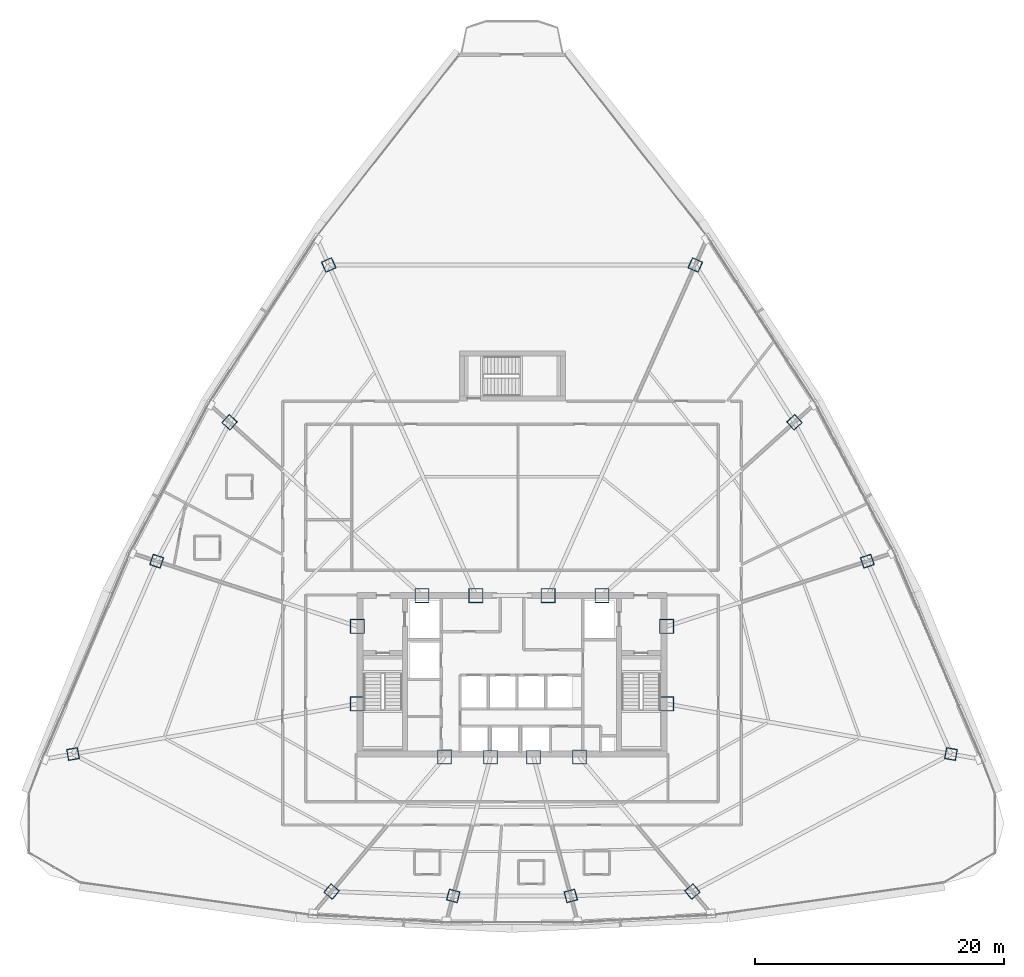
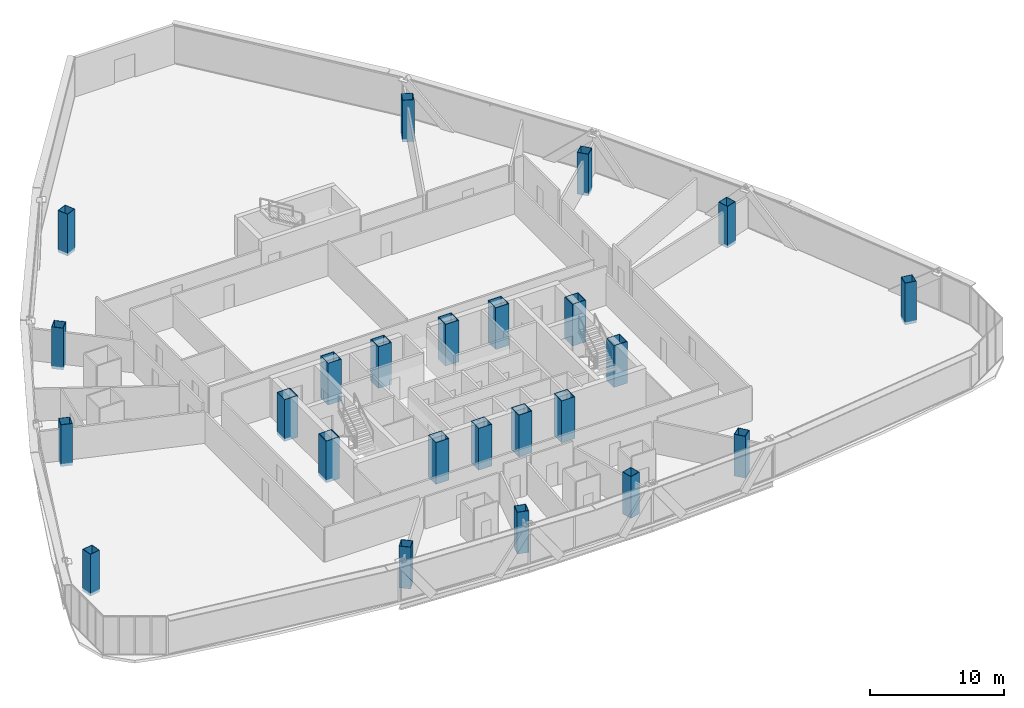
# One storey, part 1 of 40: 24 columns.
"""IFC4 building model written with IfcOpenShell, lengths in metres."""

from ifc_helpers import new_model, si_unit, direction, frame, origin, origin_2d, place, context, subcontext, project, spatial, hollow_rectangle, extrude, source, transform, mapped, material, material_profile, profile_set, type_object, element, save


model = new_model("IFC4")

# Units and contexts
model_context = context("Model", 3, precision=1e-05, world=origin(), true_north=direction((0.0, 1.0)))
body_context = subcontext(model_context, "Body", "Model", "MODEL_VIEW")
ifc_project = project(units=[si_unit("LENGTHUNIT", "METRE"), si_unit("AREAUNIT", "SQUARE_METRE"), si_unit("VOLUMEUNIT", "CUBIC_METRE"), si_unit("PLANEANGLEUNIT", "RADIAN"), si_unit("MASSUNIT", "GRAM", prefix="KILO"), si_unit("THERMODYNAMICTEMPERATUREUNIT", "KELVIN"), si_unit("POWERUNIT", "WATT")], contexts=[model_context])

# Site, building, storey
site_placement = place(None, origin())
site = spatial("IfcSite", under=ifc_project, at=site_placement, CompositionType="ELEMENT")
building_placement = place(site_placement, origin())
building = spatial("IfcBuilding", under=site, at=building_placement, Name="Yunzhuo Pagoda Commons", CompositionType="ELEMENT")
storey_placement = place(building_placement, frame((0.0, 0.0, 188.56005859375)))
storey = spatial("IfcBuildingStorey", under=building, at=storey_placement, Name="L47", CompositionType="ELEMENT", Elevation=188.56005859375)

# Columns
ifc_material = material(Name="Structural steel Q420B", Category="steel")
ifc_material_profile_1 = material_profile(ifc_material, hollow_rectangle(XDim=1.14990234375, YDim=1.14990234375, WallThickness=0.048095703125, at=origin_2d()), Name="Structural steel Q420B")
ifc_profile_set_1 = profile_set([ifc_material_profile_1], Name="Structural steel Q420B")
column_type_1 = type_object("IfcColumnType", Name="C-COR Column BOX 1150x1150x48", PredefinedType="COLUMN", material=ifc_profile_set_1)
shared_shape_1 = source(origin(), body_context, "Body", "SweptSolid", [
    extrude(hollow_rectangle(XDim=1.14990234375, YDim=1.14990234375, WallThickness=0.048095703125, at=origin_2d()), origin(), (0.0, 0.0, 1.0), 3.800048828125),
])
for number, where, z_axis, x_axis, name in (
    (1, (42.587890625, 27.25, -0.260009765625), (0.0, 0.0, 1.0), (1.0, 0.0, 0.0), "L47 core composite column F1C1"),
    (2, (46.27197265625, 27.25, -0.260009765625), (0.0, 0.0, 1.0), (1.0, 0.0, 0.0), "L47 core composite column F1C2"),
    (3, (49.728515625, 27.25, -0.260009765625), (0.0, 0.0, 1.0), (1.0, 0.0, 0.0), "L47 core composite column F1C3"),
    (4, (53.412109375, 27.25, -0.260009765625), (0.0, 0.0, 1.0), (1.0, 0.0, 0.0), "L47 core composite column F1C4"),
    (5, (60.39990234375, 31.513427734375, -0.260009765625), (0.0, 0.0, 1.0), (1.0, 0.0, 0.0), "L47 core composite column F2C1"),
    (6, (60.39990234375, 37.72900390625, -0.260009765625), (0.0, 0.0, 1.0), (1.0, 0.0, 0.0), "L47 core composite column F2C2"),
    (7, (55.218994140625, 40.199951171875, -0.260009765625), (0.0, 0.0, 1.0), (1.0, 0.0, 0.0), "L47 core composite column F2C3"),
    (8, (50.89404296875, 40.199951171875, -0.260009765625), (0.0, 0.0, 1.0), (1.0, 0.0, 0.0), "L47 core composite column F2C4"),
    (9, (45.10595703125, 40.199951171875, -0.260009765625), (0.0, 0.0, 1.0), (1.0, 0.0, 0.0), "L47 core composite column F3C1"),
    (10, (40.781005859375, 40.199951171875, -0.260009765625), (0.0, 0.0, 1.0), (1.0, 0.0, 0.0), "L47 core composite column F3C2"),
    (11, (35.60009765625, 37.72900390625, -0.260009765625), (0.0, 0.0, 1.0), (1.0, 0.0, 0.0), "L47 core composite column F3C3"),
    (12, (35.60009765625, 31.513427734375, -0.260009765625), (0.0, 0.0, 1.0), (1.0, 0.0, 0.0), "L47 core composite column F3C4"),
):
    element("IfcColumn", number, at=place(storey_placement, frame(where, z_axis=z_axis, x_axis=x_axis)), inside=storey, type_object=column_type_1, Name=name, PredefinedType="COLUMN", context=body_context, shape_type="MappedRepresentation", body=[
        mapped(shared_shape_1, transform((0.0, 0.0, 0.0), scale=1.0)),
    ])
ifc_material_profile_2 = material_profile(ifc_material, hollow_rectangle(XDim=0.89990234375, YDim=0.89990234375, WallThickness=0.035888671875, at=origin_2d()), Name="Structural steel Q420B")
ifc_profile_set_2 = profile_set([ifc_material_profile_2], Name="Structural steel Q420B")
column_type_2 = type_object("IfcColumnType", Name="C-Z4 Column BOX 900x900x36", PredefinedType="COLUMN", material=ifc_profile_set_2)
shared_shape_2 = source(origin(), body_context, "Body", "SweptSolid", [
    extrude(hollow_rectangle(XDim=0.89990234375, YDim=0.89990234375, WallThickness=0.035888671875, at=origin_2d()), origin(), (0.0, 0.0, 1.0), 3.800048828125),
])
for number, where, z_axis, x_axis, name in (
    (13, (33.538818359375, 16.4658203125, -0.260009765625), (0.0, 0.0, 1.0), (0.766044443119, -0.642787609687, 0.0), "L47 tower column F1C1"),
    (14, (43.28759765625, 16.1123046875, -0.260009765625), (0.0, 0.0, 1.0), (0.965925826289, -0.258819045103, 0.0), "L47 tower column F1C2"),
    (15, (52.712890625, 16.1123046875, -0.260009765625), (0.0, 0.0, 1.0), (0.965925826289, 0.258819045103, 0.0), "L47 tower column F1C3"),
    (16, (62.461181640625, 16.4658203125, -0.260009765625), (0.0, 0.0, 1.0), (0.766044443119, 0.642787609687, 0.0), "L47 tower column F1C4"),
    (17, (83.20654296875, 27.492431640625, -0.260009765625), (0.0, 0.0, 1.0), (0.173648177667, 0.984807753012, 0.0), "L47 tower column F2C1"),
    (18, (76.49462890625, 42.95849609375, -0.260009765625), (0.0, 0.0, 1.0), (-0.309016994375, 0.951056516295, 0.0), "L47 tower column F2C2"),
    (19, (70.650634765625, 54.0947265625, -0.260009765625), (0.0, 0.0, 1.0), (-0.669130606359, 0.743144825477, 0.0), "L47 tower column F2C3"),
    (20, (62.698974609375, 66.714599609375, -0.260009765625), (0.0, 0.0, 1.0), (-0.913545457643, 0.406736643076, 0.0), "L47 tower column F2C4"),
    (21, (33.301025390625, 66.714599609375, -0.260009765625), (0.0, 0.0, 1.0), (-0.913545457643, -0.406736643076, 0.0), "L47 tower column F3C1"),
    (22, (25.349365234375, 54.0947265625, -0.260009765625), (0.0, 0.0, 1.0), (-0.669130606359, -0.743144825477, 0.0), "L47 tower column F3C2"),
    (23, (19.50537109375, 42.95849609375, -0.260009765625), (0.0, 0.0, 1.0), (-0.309016994375, -0.951056516295, 0.0), "L47 tower column F3C3"),
    (24, (12.79345703125, 27.492431640625, -0.260009765625), (0.0, 0.0, 1.0), (0.173648177667, -0.984807753012, 0.0), "L47 tower column F3C4"),
):
    element("IfcColumn", number, at=place(storey_placement, frame(where, z_axis=z_axis, x_axis=x_axis)), inside=storey, type_object=column_type_2, Name=name, PredefinedType="COLUMN", context=body_context, shape_type="MappedRepresentation", body=[
        mapped(shared_shape_2, transform((0.0, 0.0, 0.0), scale=1.0)),
    ])

save(model, "model.ifc")
